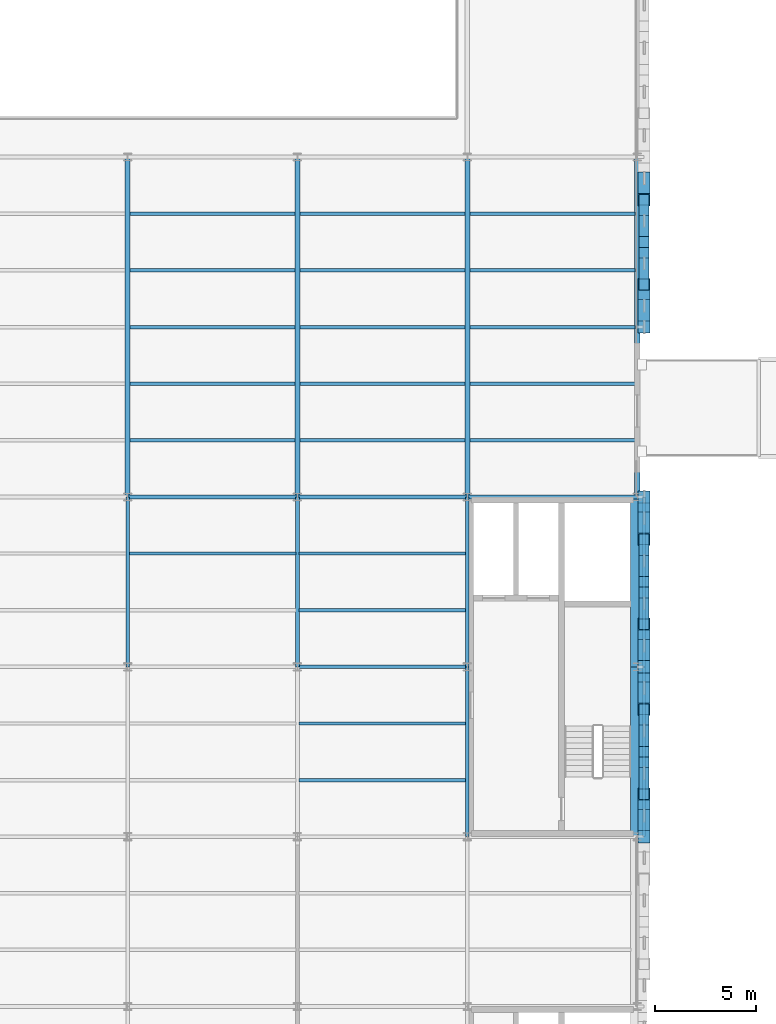
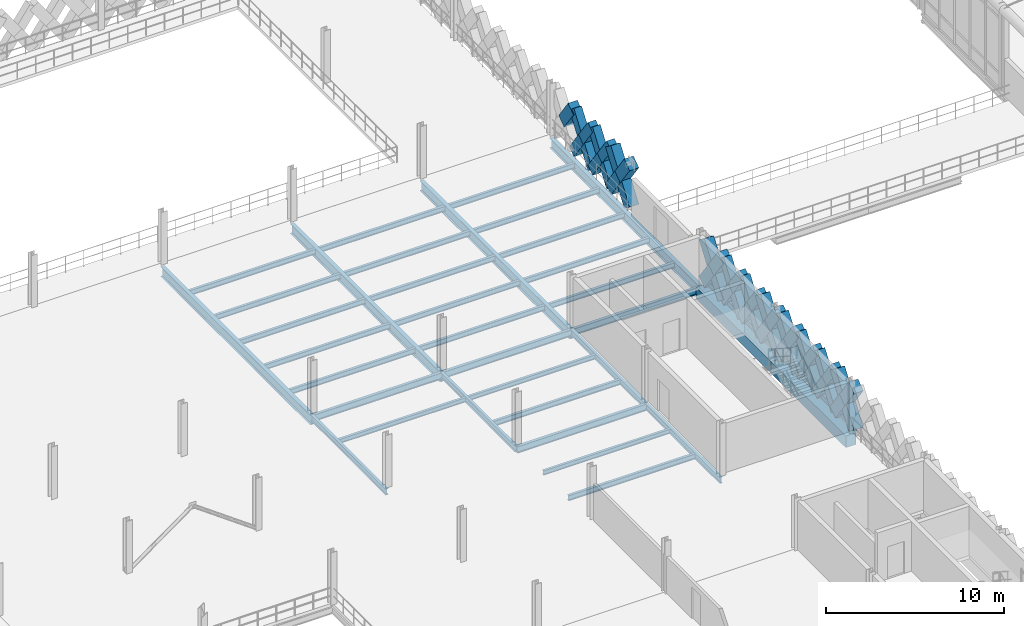
# One storey, part 39 of 101: 36 members, 34 beams.
"""IFC4 building model written with IfcOpenShell, lengths in metres."""

from ifc_helpers import new_model, si_unit, direction, frame, origin, origin_2d, place, context, subcontext, project, spatial, rectangle, hollow_rectangle, i_section, extrude, material, material_profile, profile_set, type_object, element, save


model = new_model("IFC4")

# Units and contexts
model_context = context("Model", 3, precision=1e-05, world=origin(), true_north=direction((0.0, 1.0)))
body_context = subcontext(model_context, "Body", "Model", "MODEL_VIEW")
ifc_project = project(units=[si_unit("LENGTHUNIT", "METRE"), si_unit("AREAUNIT", "SQUARE_METRE"), si_unit("VOLUMEUNIT", "CUBIC_METRE"), si_unit("PLANEANGLEUNIT", "RADIAN"), si_unit("MASSUNIT", "GRAM", prefix="KILO"), si_unit("THERMODYNAMICTEMPERATUREUNIT", "KELVIN"), si_unit("POWERUNIT", "WATT")], contexts=[model_context])

# Site, building, storey
site_placement = place(None, origin())
site = spatial("IfcSite", under=ifc_project, at=site_placement, CompositionType="ELEMENT")
building_placement = place(site_placement, origin())
building = spatial("IfcBuilding", under=site, at=building_placement, Name="Tembeka Court Mobility Hub", CompositionType="ELEMENT")
storey_placement = place(building_placement, frame((0.0, 0.0, 5.39990234375)))
storey = spatial("IfcBuildingStorey", under=building, at=storey_placement, Name="L01", CompositionType="ELEMENT", Elevation=5.39990234375)

# Beams
ifc_material_1 = material(Name="Steel S355", Category="steel")
ifc_material_profile_1 = material_profile(ifc_material_1, i_section(OverallWidth=0.18994140625, OverallDepth=0.45703125, WebThickness=0.009033203125, FlangeThickness=0.014404296875, FilletRadius=0.01025390625, at=origin_2d()), Name="UKB 457x191x74")
ifc_profile_set_1 = profile_set([ifc_material_profile_1], Name="Steel S355")
beam_type_1 = type_object("IfcBeamType", Name="BM-B01", PredefinedType="BEAM", material=ifc_profile_set_1)
beam_1_placement = place(storey_placement, frame((75.60009765625, 72.0, -0.448486328125), z_axis=(1.0, 0.0, 0.0), x_axis=(0.0, 1.0, 0.0)))
element("IfcBeam", 1, at=beam_1_placement, inside=storey, type_object=beam_type_1, Name="Beam B01 (BM-L01-X0713)", PredefinedType="BEAM", context=body_context, shape_type="SweptSolid", body=[
    extrude(i_section(OverallWidth=0.18994140625, OverallDepth=0.45703125, WebThickness=0.009033203125, FlangeThickness=0.014404296875, FilletRadius=0.01025390625, at=origin_2d()), origin(), (0.0, 0.0, 1.0), 8.39990234375),
])
beam_2_placement = place(storey_placement, frame((67.199951171875, 80.39990234375, -0.448486328125), z_axis=(1.0, 0.0, 0.0), x_axis=(0.0, 1.0, 0.0)))
element("IfcBeam", 2, at=beam_2_placement, inside=storey, type_object=beam_type_1, Name="Beam B01 (BM-L01-X0724)", PredefinedType="BEAM", context=body_context, shape_type="SweptSolid", body=[
    extrude(i_section(OverallWidth=0.18994140625, OverallDepth=0.45703125, WebThickness=0.009033203125, FlangeThickness=0.014404296875, FilletRadius=0.01025390625, at=origin_2d()), origin(), (0.0, 0.0, 1.0), 8.400146484375),
])
for number, where, z_axis, x_axis, name in (
    (3, (75.60009765625, 80.39990234375, -0.448486328125), (1.0, 0.0, 0.0), (0.0, 1.0, 0.0), "Beam B01 (BM-L01-X0725)"),
    (4, (84.0, 80.39990234375, -0.448486328125), (1.0, 0.0, 0.0), (0.0, 1.0, 0.0), "Beam B01 (BM-L01-X0726)"),
):
    element("IfcBeam", number, at=place(storey_placement, frame(where, z_axis=z_axis, x_axis=x_axis)), inside=storey, type_object=beam_type_1, Name=name, PredefinedType="BEAM", context=body_context, shape_type="SweptSolid", body=[
        extrude(i_section(OverallWidth=0.18994140625, OverallDepth=0.45703125, WebThickness=0.009033203125, FlangeThickness=0.014404296875, FilletRadius=0.01025390625, at=origin_2d()), origin(), (0.0, 0.0, 1.0), 8.39990234375),
    ])
ifc_material_profile_2 = material_profile(ifc_material_1, i_section(OverallWidth=0.177978515625, OverallDepth=0.406005859375, WebThickness=0.0078125, FlangeThickness=0.0126953125, FilletRadius=0.01025390625, at=origin_2d()), Name="UKB 406x178x60")
ifc_profile_set_2 = profile_set([ifc_material_profile_2], Name="Steel S355")
beam_type_2 = type_object("IfcBeamType", Name="BM-B02", PredefinedType="BEAM", material=ifc_profile_set_2)
for number, where, z_axis, x_axis, name in (
    (5, (67.199951171875, 72.0, -0.4228515625), (0.0, 1.0, 0.0), (-1.0, 0.0, 0.0), "Beam B02 (BM-L01-Y0835)"),
    (6, (75.60009765625, 72.0, -0.4228515625), (0.0, 1.0, 0.0), (-1.0, 0.0, 0.0), "Beam B02 (BM-L01-Y0842)"),
    (7, (84.0, 63.60009765625, -0.4228515625), (0.0, 1.0, 0.0), (-1.0, 0.0, 0.0), "Beam B02 (BM-L01-Y0850)"),
    (8, (84.0, 72.0, -0.4228515625), (0.0, 1.0, 0.0), (-1.0, 0.0, 0.0), "Beam B02 (BM-L01-Y0851)"),
):
    element("IfcBeam", number, at=place(storey_placement, frame(where, z_axis=z_axis, x_axis=x_axis)), inside=storey, type_object=beam_type_2, Name=name, PredefinedType="BEAM", context=body_context, shape_type="SweptSolid", body=[
        extrude(i_section(OverallWidth=0.177978515625, OverallDepth=0.406005859375, WebThickness=0.0078125, FlangeThickness=0.0126953125, FilletRadius=0.01025390625, at=origin_2d()), origin(), (0.0, 0.0, 1.0), 8.39990234375),
    ])
ifc_material_profile_3 = material_profile(ifc_material_1, i_section(OverallWidth=0.25390625, OverallDepth=0.68408203125, WebThickness=0.012451171875, FlangeThickness=0.01904296875, FilletRadius=0.01513671875, at=origin_2d()), Name="UKB 686x254x140")
ifc_profile_set_3 = profile_set([ifc_material_profile_3], Name="Steel S355")
beam_type_3 = type_object("IfcBeamType", Name="BM-G01", PredefinedType="USERDEFINED", material=ifc_profile_set_3)
for number, where, z_axis, x_axis, name in (
    (9, (67.199951171875, 80.39990234375, -0.56201171875), (0.0, 1.0, 0.0), (-1.0, 0.0, 0.0), "Beam G01 (BM-L01-Y0836)"),
    (10, (75.60009765625, 80.39990234375, -0.56201171875), (0.0, 1.0, 0.0), (-1.0, 0.0, 0.0), "Beam G01 (BM-L01-Y0843)"),
    (11, (84.0, 80.39990234375, -0.56201171875), (0.0, 1.0, 0.0), (-1.0, 0.0, 0.0), "Beam G01 (BM-L01-Y0852)"),
    (12, (92.39990234375, 80.39990234375, -0.572021484375), (0.0, 1.0, 0.0), (-1.0, 0.0, 0.0), "Beam G01 (BM-L01-Y0863)"),
):
    element("IfcBeam", number, at=place(storey_placement, frame(where, z_axis=z_axis, x_axis=x_axis)), inside=storey, type_object=beam_type_3, Name=name, ObjectType="GIRDER", PredefinedType="USERDEFINED", context=body_context, shape_type="SweptSolid", body=[
        extrude(i_section(OverallWidth=0.25390625, OverallDepth=0.68408203125, WebThickness=0.012451171875, FlangeThickness=0.01904296875, FilletRadius=0.01513671875, at=origin_2d()), origin(), (0.0, 0.0, 1.0), 16.800048828125),
    ])
ifc_material_profile_4 = material_profile(ifc_material_1, i_section(OverallWidth=0.172119140625, OverallDepth=0.35498046875, WebThickness=0.00732421875, FlangeThickness=0.011474609375, FilletRadius=0.01025390625, at=origin_2d()), Name="UKB 356x171x51")
ifc_profile_set_4 = profile_set([ifc_material_profile_4], Name="Steel S355")
beam_type_4 = type_object("IfcBeamType", Name="BM-J01", PredefinedType="JOIST", material=ifc_profile_set_4)
for number, where, z_axis, x_axis, name in (
    (13, (67.322021484375, 83.199951171875, -0.3974609375), (1.0, 0.0, 0.0), (0.0, 1.0, 0.0), "Beam J01 (JST-L01-1070)"),
    (14, (67.322021484375, 86.0, -0.3974609375), (1.0, 0.0, 0.0), (0.0, 1.0, 0.0), "Beam J01 (JST-L01-1071)"),
    (15, (67.322021484375, 88.800048828125, -0.3974609375), (1.0, 0.0, 0.0), (0.0, 1.0, 0.0), "Beam J01 (JST-L01-1072)"),
    (16, (67.322021484375, 91.60009765625, -0.3974609375), (1.0, 0.0, 0.0), (0.0, 1.0, 0.0), "Beam J01 (JST-L01-1073)"),
    (17, (67.322021484375, 94.39990234375, -0.3974609375), (1.0, 0.0, 0.0), (0.0, 1.0, 0.0), "Beam J01 (JST-L01-1074)"),
    (18, (75.721923828125, 83.199951171875, -0.3974609375), (1.0, 0.0, 0.0), (0.0, 1.0, 0.0), "Beam J01 (JST-L01-1090)"),
    (19, (75.721923828125, 86.0, -0.3974609375), (1.0, 0.0, 0.0), (0.0, 1.0, 0.0), "Beam J01 (JST-L01-1091)"),
    (20, (75.721923828125, 88.800048828125, -0.3974609375), (1.0, 0.0, 0.0), (0.0, 1.0, 0.0), "Beam J01 (JST-L01-1092)"),
    (21, (75.721923828125, 91.60009765625, -0.3974609375), (1.0, 0.0, 0.0), (0.0, 1.0, 0.0), "Beam J01 (JST-L01-1093)"),
    (22, (75.721923828125, 94.39990234375, -0.3974609375), (1.0, 0.0, 0.0), (0.0, 1.0, 0.0), "Beam J01 (JST-L01-1094)"),
    (23, (84.1220703125, 83.199951171875, -0.407470703125), (1.0, 0.0, 0.0), (0.0, 1.0, 0.0), "Beam J01 (JST-L01-1102)"),
    (24, (84.1220703125, 86.0, -0.407470703125), (1.0, 0.0, 0.0), (0.0, 1.0, 0.0), "Beam J01 (JST-L01-1103)"),
    (25, (84.1220703125, 88.800048828125, -0.3974609375), (1.0, 0.0, 0.0), (0.0, 1.0, 0.0), "Beam J01 (JST-L01-1104)"),
    (26, (84.1220703125, 91.60009765625, -0.3974609375), (1.0, 0.0, 0.0), (0.0, 1.0, 0.0), "Beam J01 (JST-L01-1105)"),
    (27, (84.1220703125, 94.39990234375, -0.3974609375), (1.0, 0.0, 0.0), (0.0, 1.0, 0.0), "Beam J01 (JST-L01-1106)"),
):
    element("IfcBeam", number, at=place(storey_placement, frame(where, z_axis=z_axis, x_axis=x_axis)), inside=storey, type_object=beam_type_4, Name=name, PredefinedType="JOIST", context=body_context, shape_type="SweptSolid", body=[
        extrude(i_section(OverallWidth=0.172119140625, OverallDepth=0.35498046875, WebThickness=0.00732421875, FlangeThickness=0.011474609375, FilletRadius=0.01025390625, at=origin_2d()), origin(), (0.0, 0.0, 1.0), 8.156005859375),
    ])
ifc_material_profile_5 = material_profile(ifc_material_1, i_section(OverallWidth=0.1650390625, OverallDepth=0.303955078125, WebThickness=0.006103515625, FlangeThickness=0.01025390625, FilletRadius=0.0087890625, at=origin_2d()), Name="UKB 305x165x40")
ifc_profile_set_5 = profile_set([ifc_material_profile_5], Name="Steel S355")
beam_type_5 = type_object("IfcBeamType", Name="BM-J02", PredefinedType="JOIST", material=ifc_profile_set_5)
beam_3_placement = place(storey_placement, frame((67.283935546875, 77.60009765625, -0.371826171875), z_axis=(1.0, 0.0, 0.0), x_axis=(0.0, 1.0, 0.0)))
element("IfcBeam", 28, at=beam_3_placement, inside=storey, type_object=beam_type_5, Name="Beam J02 (JST-L01-1069)", PredefinedType="JOIST", context=body_context, shape_type="SweptSolid", body=[
    extrude(i_section(OverallWidth=0.1650390625, OverallDepth=0.303955078125, WebThickness=0.006103515625, FlangeThickness=0.01025390625, FilletRadius=0.0087890625, at=origin_2d()), origin(), (0.0, 0.0, 1.0), 8.232177734375),
])
for number, where, z_axis, x_axis, name in (
    (29, (75.68408203125, 69.199951171875, -0.371826171875), (1.0, 0.0, 0.0), (0.0, 1.0, 0.0), "Beam J02 (JST-L01-1087)"),
    (30, (75.68408203125, 77.60009765625, -0.371826171875), (1.0, 0.0, 0.0), (0.0, 1.0, 0.0), "Beam J02 (JST-L01-1089)"),
):
    element("IfcBeam", number, at=place(storey_placement, frame(where, z_axis=z_axis, x_axis=x_axis)), inside=storey, type_object=beam_type_5, Name=name, PredefinedType="JOIST", context=body_context, shape_type="SweptSolid", body=[
        extrude(i_section(OverallWidth=0.1650390625, OverallDepth=0.303955078125, WebThickness=0.006103515625, FlangeThickness=0.01025390625, FilletRadius=0.0087890625, at=origin_2d()), origin(), (0.0, 0.0, 1.0), 8.23193359375),
    ])
ifc_material_profile_6 = material_profile(ifc_material_1, i_section(OverallWidth=0.169921875, OverallDepth=0.360107421875, WebThickness=0.008056640625, FlangeThickness=0.0126953125, FilletRadius=0.01806640625, at=origin_2d()), Name="IPE 360")
ifc_profile_set_6 = profile_set([ifc_material_profile_6], Name="Steel S355")
beam_type_6 = type_object("IfcBeamType", Name="BM-J03", PredefinedType="JOIST", material=ifc_profile_set_6)
for number, where, z_axis, x_axis, name in (
    (31, (75.68408203125, 66.39990234375, -0.39990234375), (1.0, 0.0, 0.0), (0.0, 1.0, 0.0), "Beam J03 (JST-L01-1086)"),
    (32, (75.68408203125, 74.800048828125, -0.39990234375), (1.0, 0.0, 0.0), (0.0, 1.0, 0.0), "Beam J03 (JST-L01-1088)"),
):
    element("IfcBeam", number, at=place(storey_placement, frame(where, z_axis=z_axis, x_axis=x_axis)), inside=storey, type_object=beam_type_6, Name=name, PredefinedType="JOIST", context=body_context, shape_type="SweptSolid", body=[
        extrude(i_section(OverallWidth=0.169921875, OverallDepth=0.360107421875, WebThickness=0.008056640625, FlangeThickness=0.0126953125, FilletRadius=0.01806640625, at=origin_2d()), origin(), (0.0, 0.0, 1.0), 8.23193359375),
    ])
ifc_material_2 = material(Name="Precast concrete C45/55", Category="concrete")
ifc_material_profile_7 = material_profile(ifc_material_2, rectangle(XDim=0.64990234375, YDim=0.800048828125, at=origin_2d()), Name="PC-SP 650x800")
ifc_profile_set_7 = profile_set([ifc_material_profile_7], Name="Precast concrete C45/55")
beam_type_7 = type_object("IfcBeamType", Name="BM-SP01", PredefinedType="SPANDREL", material=ifc_profile_set_7)
for number, where, z_axis, x_axis, name in (
    (33, (92.39990234375, 63.60009765625, -0.619873046875), (0.0, 1.0, 0.0), (-1.0, 0.0, 0.0), "Beam SP01 (BM-L01-Y0861)"),
    (34, (92.39990234375, 72.0, -0.619873046875), (0.0, 1.0, 0.0), (-1.0, 0.0, 0.0), "Beam SP01 (BM-L01-Y0862)"),
):
    element("IfcBeam", number, at=place(storey_placement, frame(where, z_axis=z_axis, x_axis=x_axis)), inside=storey, type_object=beam_type_7, Name=name, PredefinedType="SPANDREL", context=body_context, shape_type="SweptSolid", body=[
        extrude(rectangle(XDim=0.64990234375, YDim=0.800048828125, at=origin_2d()), origin(), (0.0, 0.0, 1.0), 8.39990234375),
    ])

# Members
ifc_material_profile_8 = material_profile(ifc_material_2, rectangle(XDim=0.5, YDim=0.64990234375, at=origin_2d()), Name="PC-DIAG 500x650")
ifc_profile_set_8 = profile_set([ifc_material_profile_8], Name="Precast concrete C45/55")
member_type_1 = type_object("IfcMemberType", Name="MEM-DL01", PredefinedType="BRACE", material=ifc_profile_set_8)
member_1_placement = place(storey_placement, frame((92.739990234375, 65.699951171875, 0.02001953125), z_axis=(0.0, 0.582544294934, 0.812798956963), x_axis=(-1.0, 0.0, 0.0)))
element("IfcMember", 35, at=member_1_placement, inside=storey, type_object=member_type_1, Name="Precast diamond lattice continuous strand DL01 (L01-168C)", PredefinedType="BRACE", context=body_context, shape_type="SweptSolid", body=[
    extrude(rectangle(XDim=0.5, YDim=0.64990234375, at=origin_2d()), origin(), (0.0, 0.0, 1.0), 3.60498046875),
])
for number, where, z_axis, x_axis, name in (
    (36, (92.739990234375, 67.800048828125, 0.02001953125), (0.0, -0.582544294934, 0.812798956963), (1.0, 0.0, 0.0), "Precast diamond lattice split lower strand DL01 (L01-168D1)"),
    (37, (92.739990234375, 66.75, 1.485107421875), (0.0, -0.582544294934, 0.812798956963), (1.0, 0.0, 0.0), "Precast diamond lattice split upper strand DL01 (L01-168D2)"),
):
    element("IfcMember", number, at=place(storey_placement, frame(where, z_axis=z_axis, x_axis=x_axis)), inside=storey, type_object=member_type_1, Name=name, PredefinedType="BRACE", context=body_context, shape_type="SweptSolid", body=[
        extrude(rectangle(XDim=0.5, YDim=0.64990234375, at=origin_2d()), origin(), (0.0, 0.0, 1.0), 1.802490234375),
    ])
member_2_placement = place(storey_placement, frame((92.739990234375, 67.800048828125, 0.02001953125), z_axis=(0.0, 0.582499552306, 0.812831022762), x_axis=(-1.0, 0.0, 0.0)))
element("IfcMember", 38, at=member_2_placement, inside=storey, type_object=member_type_1, Name="Precast diamond lattice continuous strand DL01 (L01-169C)", PredefinedType="BRACE", context=body_context, shape_type="SweptSolid", body=[
    extrude(rectangle(XDim=0.5, YDim=0.64990234375, at=origin_2d()), origin(), (0.0, 0.0, 1.0), 3.60498046875),
])
for number, where, z_axis, x_axis, name in (
    (39, (92.739990234375, 69.89990234375, 0.02001953125), (0.0, -0.582454804382, 0.812863088627), (1.0, 0.0, 0.0), "Precast diamond lattice split lower strand DL01 (L01-169D1)"),
    (40, (92.739990234375, 68.85009765625, 1.485107421875), (0.0, -0.582544294934, 0.812798956963), (1.0, 0.0, 0.0), "Precast diamond lattice split upper strand DL01 (L01-169D2)"),
):
    element("IfcMember", number, at=place(storey_placement, frame(where, z_axis=z_axis, x_axis=x_axis)), inside=storey, type_object=member_type_1, Name=name, PredefinedType="BRACE", context=body_context, shape_type="SweptSolid", body=[
        extrude(rectangle(XDim=0.5, YDim=0.64990234375, at=origin_2d()), origin(), (0.0, 0.0, 1.0), 1.802490234375),
    ])
member_3_placement = place(storey_placement, frame((92.739990234375, 74.10009765625, 0.02001953125), z_axis=(0.0, 0.582499552306, 0.812831022762), x_axis=(-1.0, 0.0, 0.0)))
element("IfcMember", 41, at=member_3_placement, inside=storey, type_object=member_type_1, Name="Precast diamond lattice continuous strand DL01 (L01-172C)", PredefinedType="BRACE", context=body_context, shape_type="SweptSolid", body=[
    extrude(rectangle(XDim=0.5, YDim=0.64990234375, at=origin_2d()), origin(), (0.0, 0.0, 1.0), 3.60498046875),
])
for number, where, z_axis, x_axis, name in (
    (42, (92.739990234375, 76.199951171875, 0.02001953125), (0.0, -0.582544294934, 0.812798956963), (1.0, 0.0, 0.0), "Precast diamond lattice split lower strand DL01 (L01-172D1)"),
    (43, (92.739990234375, 75.14990234375, 1.485107421875), (0.0, -0.582454804382, 0.812863088627), (1.0, 0.0, 0.0), "Precast diamond lattice split upper strand DL01 (L01-172D2)"),
):
    element("IfcMember", number, at=place(storey_placement, frame(where, z_axis=z_axis, x_axis=x_axis)), inside=storey, type_object=member_type_1, Name=name, PredefinedType="BRACE", context=body_context, shape_type="SweptSolid", body=[
        extrude(rectangle(XDim=0.5, YDim=0.64990234375, at=origin_2d()), origin(), (0.0, 0.0, 1.0), 1.802490234375),
    ])
member_4_placement = place(storey_placement, frame((92.739990234375, 76.199951171875, 0.02001953125), z_axis=(0.0, 0.582544294934, 0.812798956963), x_axis=(-1.0, 0.0, 0.0)))
element("IfcMember", 44, at=member_4_placement, inside=storey, type_object=member_type_1, Name="Precast diamond lattice continuous strand DL01 (L01-173C)", PredefinedType="BRACE", context=body_context, shape_type="SweptSolid", body=[
    extrude(rectangle(XDim=0.5, YDim=0.64990234375, at=origin_2d()), origin(), (0.0, 0.0, 1.0), 3.60498046875),
])
for number, where, z_axis, x_axis, name in (
    (45, (92.739990234375, 78.300048828125, 0.02001953125), (0.0, -0.582544294934, 0.812798956963), (1.0, 0.0, 0.0), "Precast diamond lattice split lower strand DL01 (L01-173D1)"),
    (46, (92.739990234375, 77.25, 1.485107421875), (0.0, -0.582544294934, 0.812798956963), (1.0, 0.0, 0.0), "Precast diamond lattice split upper strand DL01 (L01-173D2)"),
):
    element("IfcMember", number, at=place(storey_placement, frame(where, z_axis=z_axis, x_axis=x_axis)), inside=storey, type_object=member_type_1, Name=name, PredefinedType="BRACE", context=body_context, shape_type="SweptSolid", body=[
        extrude(rectangle(XDim=0.5, YDim=0.64990234375, at=origin_2d()), origin(), (0.0, 0.0, 1.0), 1.802490234375),
    ])
member_5_placement = place(storey_placement, frame((92.739990234375, 90.89990234375, 0.02001953125), z_axis=(0.0, 0.582544294934, 0.812798956963), x_axis=(-1.0, 0.0, 0.0)))
element("IfcMember", 47, at=member_5_placement, inside=storey, type_object=member_type_1, Name="Precast diamond lattice continuous strand DL01 (L01-176C)", PredefinedType="BRACE", context=body_context, shape_type="SweptSolid", body=[
    extrude(rectangle(XDim=0.5, YDim=0.64990234375, at=origin_2d()), origin(), (0.0, 0.0, 1.0), 3.60498046875),
])
for number, where, z_axis, x_axis, name in (
    (48, (92.739990234375, 93.0, 0.02001953125), (0.0, -0.582544294934, 0.812798956963), (1.0, 0.0, 0.0), "Precast diamond lattice split lower strand DL01 (L01-176D1)"),
    (49, (92.739990234375, 91.949951171875, 1.485107421875), (0.0, -0.582544294934, 0.812798956963), (1.0, 0.0, 0.0), "Precast diamond lattice split upper strand DL01 (L01-176D2)"),
):
    element("IfcMember", number, at=place(storey_placement, frame(where, z_axis=z_axis, x_axis=x_axis)), inside=storey, type_object=member_type_1, Name=name, PredefinedType="BRACE", context=body_context, shape_type="SweptSolid", body=[
        extrude(rectangle(XDim=0.5, YDim=0.64990234375, at=origin_2d()), origin(), (0.0, 0.0, 1.0), 1.802490234375),
    ])
member_6_placement = place(storey_placement, frame((92.739990234375, 93.0, 0.02001953125), z_axis=(0.0, 0.582544294934, 0.812798956963), x_axis=(-1.0, 0.0, 0.0)))
element("IfcMember", 50, at=member_6_placement, inside=storey, type_object=member_type_1, Name="Precast diamond lattice continuous strand DL01 (L01-177C)", PredefinedType="BRACE", context=body_context, shape_type="SweptSolid", body=[
    extrude(rectangle(XDim=0.5, YDim=0.64990234375, at=origin_2d()), origin(), (0.0, 0.0, 1.0), 3.60498046875),
])
for number, where, z_axis, x_axis, name in (
    (51, (92.739990234375, 95.10009765625, 0.02001953125), (0.0, -0.582544294934, 0.812798956963), (1.0, 0.0, 0.0), "Precast diamond lattice split lower strand DL01 (L01-177D1)"),
    (52, (92.739990234375, 94.050048828125, 1.485107421875), (0.0, -0.582544294934, 0.812798956963), (1.0, 0.0, 0.0), "Precast diamond lattice split upper strand DL01 (L01-177D2)"),
):
    element("IfcMember", number, at=place(storey_placement, frame(where, z_axis=z_axis, x_axis=x_axis)), inside=storey, type_object=member_type_1, Name=name, PredefinedType="BRACE", context=body_context, shape_type="SweptSolid", body=[
        extrude(rectangle(XDim=0.5, YDim=0.64990234375, at=origin_2d()), origin(), (0.0, 0.0, 1.0), 1.802490234375),
    ])
ifc_material_profile_9 = material_profile(ifc_material_2, rectangle(XDim=0.60009765625, YDim=0.75, at=origin_2d()), Name="PC-DIAG 600x750")
ifc_profile_set_9 = profile_set([ifc_material_profile_9], Name="Precast concrete C45/55")
member_type_2 = type_object("IfcMemberType", Name="MEM-DL02", PredefinedType="BRACE", material=ifc_profile_set_9)
member_7_placement = place(storey_placement, frame((92.739990234375, 63.60009765625, 0.02001953125), z_axis=(0.0, 0.582499552306, 0.812831022762), x_axis=(-1.0, 0.0, 0.0)))
element("IfcMember", 53, at=member_7_placement, inside=storey, type_object=member_type_2, Name="Precast diamond lattice continuous strand DL02 (L01-167C)", PredefinedType="BRACE", context=body_context, shape_type="SweptSolid", body=[
    extrude(rectangle(XDim=0.60009765625, YDim=0.75, at=origin_2d()), origin(), (0.0, 0.0, 1.0), 3.60498046875),
])
for number, where, z_axis, x_axis, name in (
    (54, (92.739990234375, 65.699951171875, 0.02001953125), (0.0, -0.582544294934, 0.812798956963), (1.0, 0.0, 0.0), "Precast diamond lattice split lower strand DL02 (L01-167D1)"),
    (55, (92.739990234375, 64.64990234375, 1.485107421875), (0.0, -0.582454804382, 0.812863088627), (1.0, 0.0, 0.0), "Precast diamond lattice split upper strand DL02 (L01-167D2)"),
):
    element("IfcMember", number, at=place(storey_placement, frame(where, z_axis=z_axis, x_axis=x_axis)), inside=storey, type_object=member_type_2, Name=name, PredefinedType="BRACE", context=body_context, shape_type="SweptSolid", body=[
        extrude(rectangle(XDim=0.60009765625, YDim=0.75, at=origin_2d()), origin(), (0.0, 0.0, 1.0), 1.802490234375),
    ])
member_8_placement = place(storey_placement, frame((92.739990234375, 69.89990234375, 0.02001953125), z_axis=(0.0, 0.582544294934, 0.812798956963), x_axis=(-1.0, 0.0, 0.0)))
element("IfcMember", 56, at=member_8_placement, inside=storey, type_object=member_type_2, Name="Precast diamond lattice continuous strand DL02 (L01-170C)", PredefinedType="BRACE", context=body_context, shape_type="SweptSolid", body=[
    extrude(rectangle(XDim=0.60009765625, YDim=0.75, at=origin_2d()), origin(), (0.0, 0.0, 1.0), 3.60498046875),
])
for number, where, z_axis, x_axis, name in (
    (57, (92.739990234375, 72.0, 0.02001953125), (0.0, -0.582544294934, 0.812798956963), (1.0, 0.0, 0.0), "Precast diamond lattice split lower strand DL02 (L01-170D1)"),
    (58, (92.739990234375, 70.949951171875, 1.485107421875), (0.0, -0.582544294934, 0.812798956963), (1.0, 0.0, 0.0), "Precast diamond lattice split upper strand DL02 (L01-170D2)"),
):
    element("IfcMember", number, at=place(storey_placement, frame(where, z_axis=z_axis, x_axis=x_axis)), inside=storey, type_object=member_type_2, Name=name, PredefinedType="BRACE", context=body_context, shape_type="SweptSolid", body=[
        extrude(rectangle(XDim=0.60009765625, YDim=0.75, at=origin_2d()), origin(), (0.0, 0.0, 1.0), 1.802490234375),
    ])
member_9_placement = place(storey_placement, frame((92.739990234375, 72.0, 0.02001953125), z_axis=(0.0, 0.582544294934, 0.812798956963), x_axis=(-1.0, 0.0, 0.0)))
element("IfcMember", 59, at=member_9_placement, inside=storey, type_object=member_type_2, Name="Precast diamond lattice continuous strand DL02 (L01-171C)", PredefinedType="BRACE", context=body_context, shape_type="SweptSolid", body=[
    extrude(rectangle(XDim=0.60009765625, YDim=0.75, at=origin_2d()), origin(), (0.0, 0.0, 1.0), 3.60498046875),
])
for number, where, z_axis, x_axis, name in (
    (60, (92.739990234375, 74.10009765625, 0.02001953125), (0.0, -0.582544294934, 0.812798956963), (1.0, 0.0, 0.0), "Precast diamond lattice split lower strand DL02 (L01-171D1)"),
    (61, (92.739990234375, 73.050048828125, 1.485107421875), (0.0, -0.582544294934, 0.812798956963), (1.0, 0.0, 0.0), "Precast diamond lattice split upper strand DL02 (L01-171D2)"),
):
    element("IfcMember", number, at=place(storey_placement, frame(where, z_axis=z_axis, x_axis=x_axis)), inside=storey, type_object=member_type_2, Name=name, PredefinedType="BRACE", context=body_context, shape_type="SweptSolid", body=[
        extrude(rectangle(XDim=0.60009765625, YDim=0.75, at=origin_2d()), origin(), (0.0, 0.0, 1.0), 1.802490234375),
    ])
member_10_placement = place(storey_placement, frame((92.739990234375, 78.300048828125, 0.02001953125), z_axis=(0.0, 0.582499552306, 0.812831022762), x_axis=(-1.0, 0.0, 0.0)))
element("IfcMember", 62, at=member_10_placement, inside=storey, type_object=member_type_2, Name="Precast diamond lattice continuous strand DL02 (L01-174C)", PredefinedType="BRACE", context=body_context, shape_type="SweptSolid", body=[
    extrude(rectangle(XDim=0.60009765625, YDim=0.75, at=origin_2d()), origin(), (0.0, 0.0, 1.0), 3.60498046875),
])
for number, where, z_axis, x_axis, name in (
    (63, (92.739990234375, 80.39990234375, 0.02001953125), (0.0, -0.582454804382, 0.812863088627), (1.0, 0.0, 0.0), "Precast diamond lattice split lower strand DL02 (L01-174D1)"),
    (64, (92.739990234375, 79.35009765625, 1.485107421875), (0.0, -0.582544294934, 0.812798956963), (1.0, 0.0, 0.0), "Precast diamond lattice split upper strand DL02 (L01-174D2)"),
):
    element("IfcMember", number, at=place(storey_placement, frame(where, z_axis=z_axis, x_axis=x_axis)), inside=storey, type_object=member_type_2, Name=name, PredefinedType="BRACE", context=body_context, shape_type="SweptSolid", body=[
        extrude(rectangle(XDim=0.60009765625, YDim=0.75, at=origin_2d()), origin(), (0.0, 0.0, 1.0), 1.802490234375),
    ])
member_11_placement = place(storey_placement, frame((92.739990234375, 88.800048828125, 0.02001953125), z_axis=(0.0, 0.582499552306, 0.812831022762), x_axis=(-1.0, 0.0, 0.0)))
element("IfcMember", 65, at=member_11_placement, inside=storey, type_object=member_type_2, Name="Precast diamond lattice continuous strand DL02 (L01-175C)", PredefinedType="BRACE", context=body_context, shape_type="SweptSolid", body=[
    extrude(rectangle(XDim=0.60009765625, YDim=0.75, at=origin_2d()), origin(), (0.0, 0.0, 1.0), 3.60498046875),
])
for number, where, z_axis, x_axis, name in (
    (66, (92.739990234375, 90.89990234375, 0.02001953125), (0.0, -0.582454804382, 0.812863088627), (1.0, 0.0, 0.0), "Precast diamond lattice split lower strand DL02 (L01-175D1)"),
    (67, (92.739990234375, 89.85009765625, 1.485107421875), (0.0, -0.582544294934, 0.812798956963), (1.0, 0.0, 0.0), "Precast diamond lattice split upper strand DL02 (L01-175D2)"),
    (68, (92.739990234375, 96.14990234375, 1.485107421875), (0.0, -0.582454804382, 0.812863088627), (1.0, 0.0, 0.0), "Precast diamond lattice split upper strand DL02 (L01-178D2)"),
):
    element("IfcMember", number, at=place(storey_placement, frame(where, z_axis=z_axis, x_axis=x_axis)), inside=storey, type_object=member_type_2, Name=name, PredefinedType="BRACE", context=body_context, shape_type="SweptSolid", body=[
        extrude(rectangle(XDim=0.60009765625, YDim=0.75, at=origin_2d()), origin(), (0.0, 0.0, 1.0), 1.802490234375),
    ])
ifc_material_profile_10 = material_profile(ifc_material_1, hollow_rectangle(XDim=0.14990234375, YDim=0.300048828125, WallThickness=0.010009765625, at=origin_2d()), Name="RHS 300x150x10")
ifc_profile_set_10 = profile_set([ifc_material_profile_10], Name="Steel S355")
member_type_3 = type_object("IfcMemberType", Name="MEM-ST03", PredefinedType="STRUT", material=ifc_profile_set_10)
for number, where, z_axis, x_axis, name in (
    (69, (92.739990234375, 63.60009765625, 0.02001953125), (0.0, 1.0, 0.0), (-1.0, 0.0, 0.0), "Proud lattice sill tie chord SR03 (L01-E-63)"),
    (70, (92.739990234375, 72.0, 0.02001953125), (0.0, 1.0, 0.0), (-1.0, 0.0, 0.0), "Proud lattice sill tie chord SR03 (L01-E-72)"),
):
    element("IfcMember", number, at=place(storey_placement, frame(where, z_axis=z_axis, x_axis=x_axis)), inside=storey, type_object=member_type_3, Name=name, PredefinedType="STRUT", context=body_context, shape_type="SweptSolid", body=[
        extrude(hollow_rectangle(XDim=0.14990234375, YDim=0.300048828125, WallThickness=0.010009765625, at=origin_2d()), origin(), (0.0, 0.0, 1.0), 8.39990234375),
    ])

save(model, "model.ifc")
